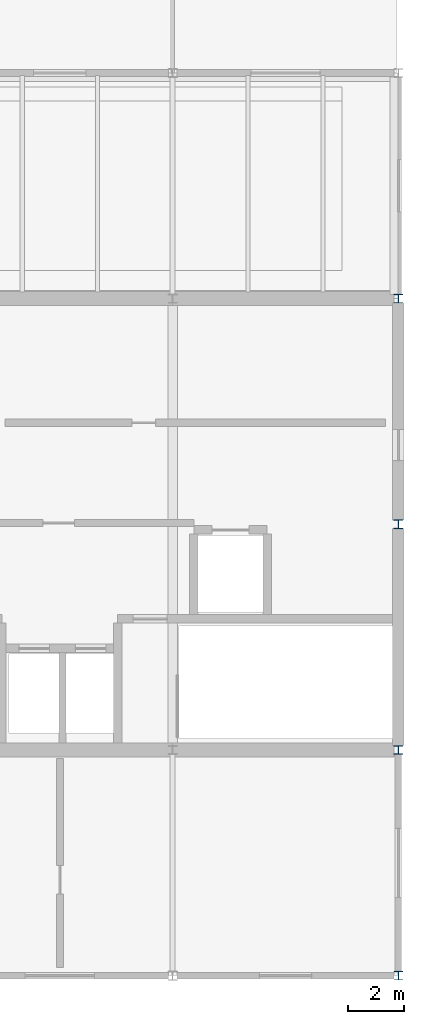
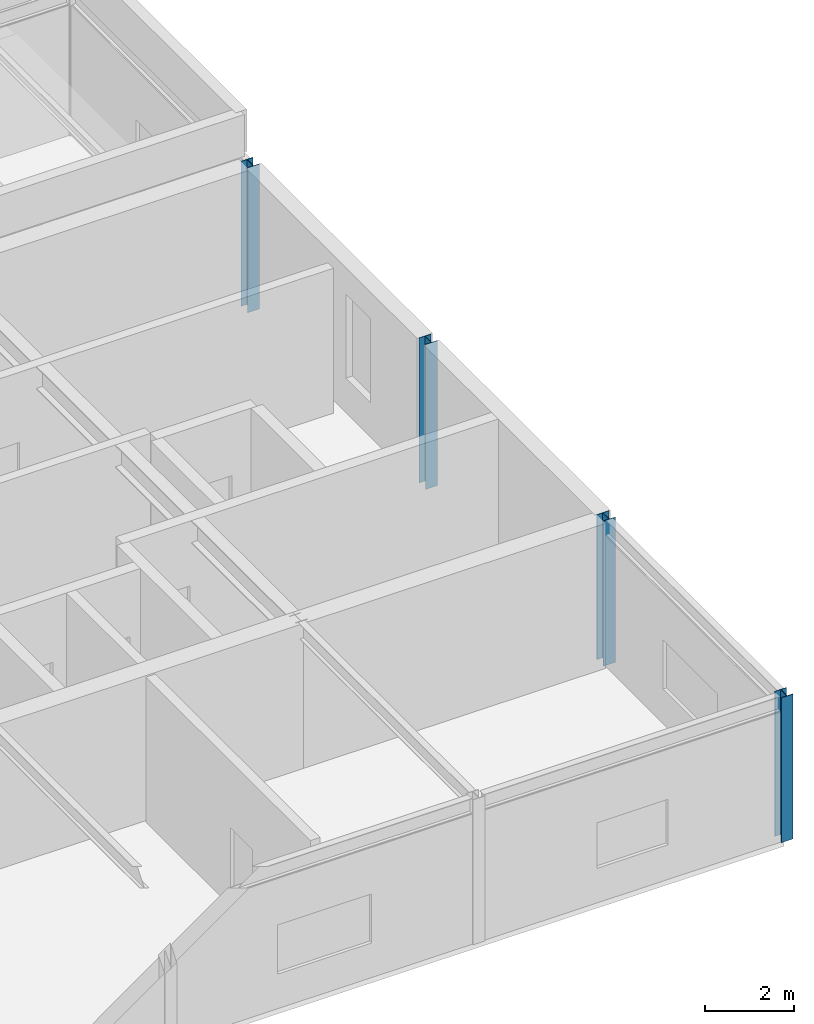
# One storey, part 2 of 7: 4 columns.
"""IFC4 building model written with IfcOpenShell, lengths in metres."""

from ifc_helpers import new_model, si_unit, direction, frame, origin, origin_2d, place, context, subcontext, project, spatial, i_section, extrude, material, material_profile, profile_set, type_object, element, save


model = new_model("IFC4")

# Units and contexts
model_context = context("Model", 3, precision=1e-05, world=origin(), true_north=direction((0.0, 1.0)))
body_context = subcontext(model_context, "Body", "Model", "MODEL_VIEW")
ifc_project = project(units=[si_unit("LENGTHUNIT", "METRE"), si_unit("AREAUNIT", "SQUARE_METRE"), si_unit("VOLUMEUNIT", "CUBIC_METRE"), si_unit("PLANEANGLEUNIT", "RADIAN"), si_unit("MASSUNIT", "GRAM", prefix="KILO")], contexts=[model_context])

# Site, building, storey
site_placement = place(None, origin())
site = spatial("IfcSite", under=ifc_project, at=site_placement, CompositionType="ELEMENT")
building_placement = place(site_placement, origin())
building = spatial("IfcBuilding", under=site, at=building_placement, Name="Varnela Railside Interchange", CompositionType="ELEMENT")
storey_placement = place(building_placement, frame((0.0, 0.0, 36.39990234375)))
storey = spatial("IfcBuildingStorey", under=building, at=storey_placement, Name="L08", CompositionType="ELEMENT", Elevation=36.39990234375)

# Columns
ifc_material = material(Name="Steel AR 350 (350 MPa)", Category="steel")
ifc_material_profile_1 = material_profile(ifc_material, i_section(OverallWidth=0.31005859375, OverallDepth=0.30810546875, WebThickness=0.015380859375, FlangeThickness=0.015380859375, at=origin_2d()), Name="HP310x110")
ifc_profile_set_1 = profile_set([ifc_material_profile_1], Name="Steel AR 350 (350 MPa)")
column_type_1 = type_object("IfcColumnType", Name="Plant Floor Steel Column C-21", PredefinedType="COLUMN", material=ifc_profile_set_1)
for number, where, z_axis, x_axis, name in (
    (1, (36.0, 54.0, 0.0), (0.0, 0.0, 1.0), (1.0, 0.0, 0.0), "Column C-21 (L08) (CL-1095)"),
    (2, (36.0, 62.0, 0.0), (0.0, 0.0, 1.0), (1.0, 0.0, 0.0), "Column C-21 (L08) (CL-1096)"),
    (3, (36.0, 70.0, 0.0), (0.0, 0.0, 1.0), (1.0, 0.0, 0.0), "Column C-21 (L08) (CL-1097)"),
):
    element("IfcColumn", number, at=place(storey_placement, frame(where, z_axis=z_axis, x_axis=x_axis)), inside=storey, type_object=column_type_1, Name=name, PredefinedType="COLUMN", context=body_context, shape_type="SweptSolid", body=[
        extrude(i_section(OverallWidth=0.31005859375, OverallDepth=0.30810546875, WebThickness=0.015380859375, FlangeThickness=0.015380859375, at=origin_2d()), origin(), (0.0, 0.0, 1.0), 3.97998046875),
    ])
ifc_material_profile_2 = material_profile(ifc_material, i_section(OverallWidth=0.30810546875, OverallDepth=0.302978515625, WebThickness=0.01318359375, FlangeThickness=0.01318359375, at=origin_2d()), Name="HP310x93")
ifc_profile_set_2 = profile_set([ifc_material_profile_2], Name="Steel AR 350 (350 MPa)")
column_type_2 = type_object("IfcColumnType", Name="Roof Canopy Post Column C-22", PredefinedType="COLUMN", material=ifc_profile_set_2)
column_placement = place(storey_placement, frame((36.0, 46.0, 0.0), z_axis=(0.0, 0.0, 1.0), x_axis=(1.0, 0.0, 0.0)))
element("IfcColumn", 4, at=column_placement, inside=storey, type_object=column_type_2, Name="Column C-22 (L08) (CL-1094)", PredefinedType="COLUMN", context=body_context, shape_type="SweptSolid", body=[
    extrude(i_section(OverallWidth=0.30810546875, OverallDepth=0.302978515625, WebThickness=0.01318359375, FlangeThickness=0.01318359375, at=origin_2d()), origin(), (0.0, 0.0, 1.0), 3.97998046875),
])

save(model, "model.ifc")
